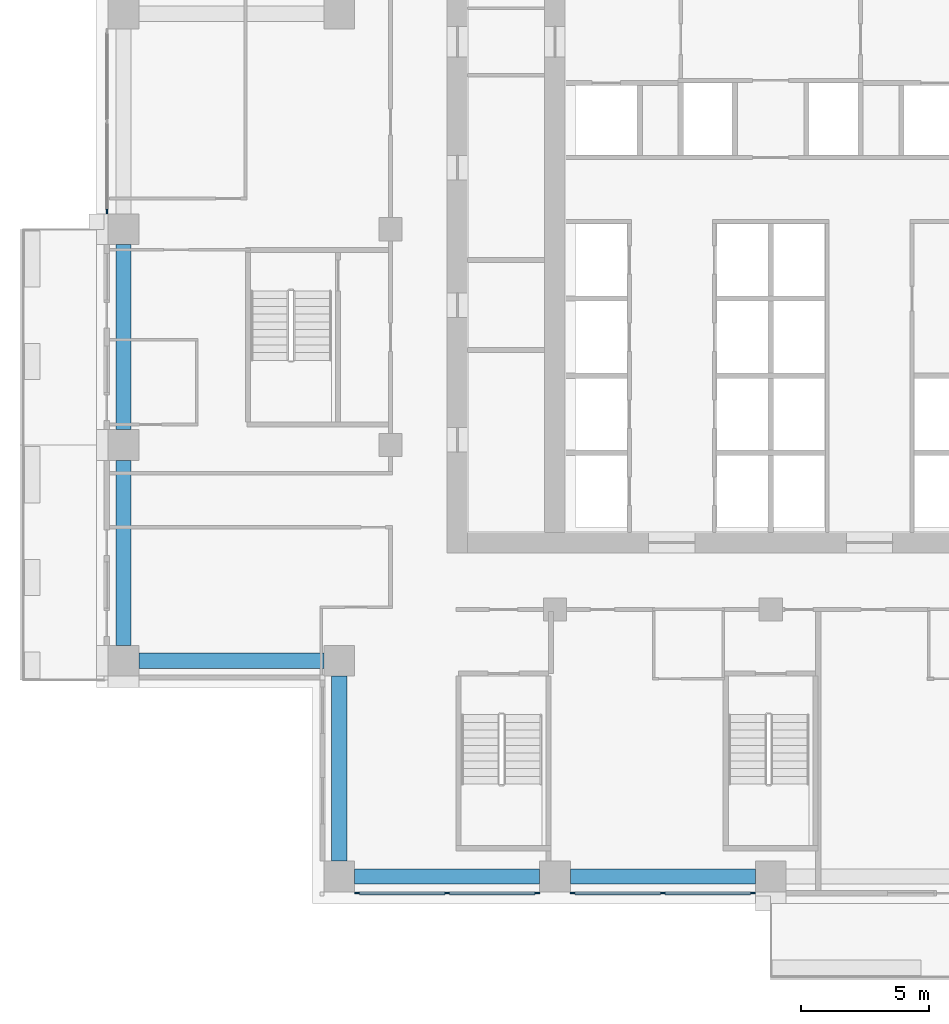
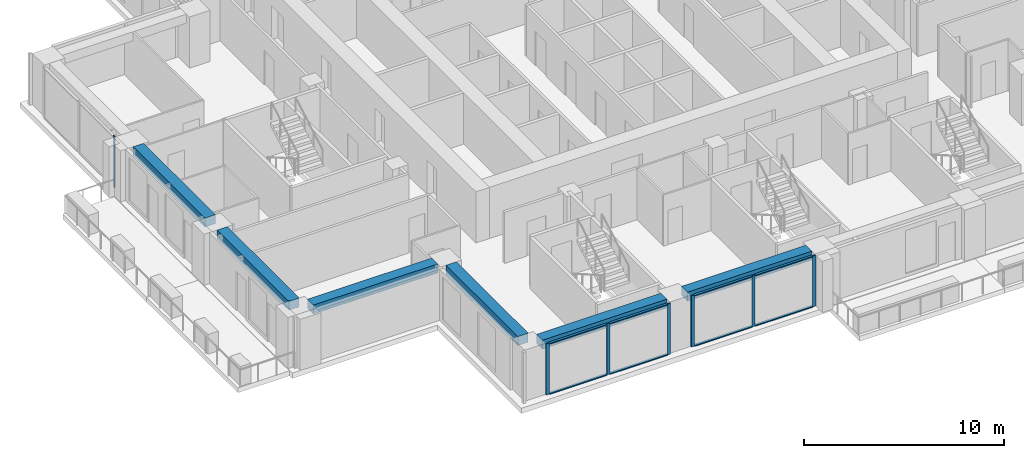
# One storey, part 2 of 18: 15 members, 6 beams, 3 elements without a shape of their own.
"""IFC4 building model written with IfcOpenShell, lengths in metres."""

from ifc_helpers import new_model, si_unit, direction, frame, origin, origin_2d, place, context, subcontext, project, spatial, rectangle, extrude, material, material_profile, profile_set, type_object, element, aggregate, save


model = new_model("IFC4")

# Units and contexts
model_context = context("Model", 3, precision=1e-05, world=origin(), true_north=direction((0.0, 1.0)))
body_context = subcontext(model_context, "Body", "Model", "MODEL_VIEW")
ifc_project = project(units=[si_unit("LENGTHUNIT", "METRE"), si_unit("AREAUNIT", "SQUARE_METRE"), si_unit("VOLUMEUNIT", "CUBIC_METRE"), si_unit("PLANEANGLEUNIT", "RADIAN"), si_unit("MASSUNIT", "GRAM", prefix="KILO")], contexts=[model_context])

# Site, building, storey
site_placement = place(None, origin())
site = spatial("IfcSite", under=ifc_project, at=site_placement, CompositionType="ELEMENT")
building_placement = place(site_placement, origin())
building = spatial("IfcBuilding", under=site, at=building_placement, Name="Vermilion Ogive Tower", CompositionType="ELEMENT")
storey_placement = place(building_placement, frame((0.0, 0.0, 108.0)))
storey = spatial("IfcBuildingStorey", under=building, at=storey_placement, Name="L27", CompositionType="ELEMENT", Elevation=108.0)

# Curtain wall, members
ifc_material_1 = material(Name="Low-iron laminated glazing in aluminium frame", Category="aluminium")
curtain_wall_type = type_object("IfcCurtainWallType", Name="Curtain wall CW7", PredefinedType="NOTDEFINED", material=ifc_material_1)
curtain_wall_1_placement = place(storey_placement, origin())
curtain_wall_1 = element("IfcCurtainWall", 1, at=curtain_wall_1_placement, inside=storey, type_object=curtain_wall_type, Name="Glazed skin S1", PredefinedType="NOTDEFINED")
ifc_material_2 = material(Name="Aluminium mullion", Category="aluminium")
ifc_material_profile_1 = material_profile(ifc_material_2, rectangle(XDim=0.06005859375, YDim=0.179931640625, at=origin_2d()), Name="AL 60x180")
ifc_profile_set_1 = profile_set([ifc_material_profile_1], Name="Aluminium mullion")
member_type_1 = type_object("IfcMemberType", Name="CW7 mullion 60x180", PredefinedType="MULLION", material=ifc_profile_set_1)
member_1_placement = place(storey_placement, frame((-16.110107421875, -21.64990234375, 0.0), z_axis=(0.0, 0.0, 1.0), x_axis=(0.0, 1.0, 0.0)))
member_1 = element("IfcMember", 2, at=member_1_placement, type_object=member_type_1, Name="CW7-S1 mullion 1", PredefinedType="MULLION", context=body_context, shape_type="SweptSolid", body=[
    extrude(rectangle(XDim=0.06005859375, YDim=0.179931640625, at=origin_2d()), origin(), (0.0, 0.0, 1.0), 3.1298828125),
])
member_2_placement = place(storey_placement, frame((-12.60009765625, -21.64990234375, 0.0), z_axis=(0.0, 0.0, 1.0), x_axis=(0.0, 1.0, 0.0)))
member_2 = element("IfcMember", 3, at=member_2_placement, type_object=member_type_1, Name="CW7-S1 mullion 2", PredefinedType="MULLION", context=body_context, shape_type="SweptSolid", body=[
    extrude(rectangle(XDim=0.06005859375, YDim=0.179931640625, at=origin_2d()), origin(), (0.0, 0.0, 1.0), 3.1298828125),
])
member_3_placement = place(storey_placement, frame((-9.090087890625, -21.64990234375, 0.0), z_axis=(0.0, 0.0, 1.0), x_axis=(0.0, 1.0, 0.0)))
member_3 = element("IfcMember", 4, at=member_3_placement, type_object=member_type_1, Name="CW7-S1 mullion 3", PredefinedType="MULLION", context=body_context, shape_type="SweptSolid", body=[
    extrude(rectangle(XDim=0.06005859375, YDim=0.179931640625, at=origin_2d()), origin(), (0.0, 0.0, 1.0), 3.1298828125),
])

curtain_wall_2_placement = place(storey_placement, origin())
curtain_wall_2 = element("IfcCurtainWall", 5, at=curtain_wall_2_placement, inside=storey, type_object=curtain_wall_type, Name="Glazed skin S2", PredefinedType="NOTDEFINED")
member_4_placement = place(storey_placement, frame((-7.7099609375, -21.64990234375, 0.0), z_axis=(0.0, 0.0, 1.0), x_axis=(0.0, 1.0, 0.0)))
member_4 = element("IfcMember", 6, at=member_4_placement, type_object=member_type_1, Name="CW7-S2 mullion 1", PredefinedType="MULLION", context=body_context, shape_type="SweptSolid", body=[
    extrude(rectangle(XDim=0.06005859375, YDim=0.179931640625, at=origin_2d()), origin(), (0.0, 0.0, 1.0), 3.1298828125),
])
member_5_placement = place(storey_placement, frame((-4.199951171875, -21.64990234375, 0.0), z_axis=(0.0, 0.0, 1.0), x_axis=(0.0, 1.0, 0.0)))
member_5 = element("IfcMember", 7, at=member_5_placement, type_object=member_type_1, Name="CW7-S2 mullion 2", PredefinedType="MULLION", context=body_context, shape_type="SweptSolid", body=[
    extrude(rectangle(XDim=0.06005859375, YDim=0.179931640625, at=origin_2d()), origin(), (0.0, 0.0, 1.0), 3.1298828125),
])
member_6_placement = place(storey_placement, frame((-0.68994140625, -21.64990234375, 0.0), z_axis=(0.0, 0.0, 1.0), x_axis=(0.0, 1.0, 0.0)))
member_6 = element("IfcMember", 8, at=member_6_placement, type_object=member_type_1, Name="CW7-S2 mullion 3", PredefinedType="MULLION", context=body_context, shape_type="SweptSolid", body=[
    extrude(rectangle(XDim=0.06005859375, YDim=0.179931640625, at=origin_2d()), origin(), (0.0, 0.0, 1.0), 3.1298828125),
])

# Curtain wall, member
curtain_wall_3_placement = place(storey_placement, origin())
curtain_wall_3 = element("IfcCurtainWall", 9, at=curtain_wall_3_placement, inside=storey, type_object=curtain_wall_type, Name="Glazed skin W1", PredefinedType="NOTDEFINED")
member_7_placement = place(storey_placement, frame((-25.85009765625, 4.889892578125, 0.0), z_axis=(0.0, 0.0, 1.0), x_axis=(1.0, 0.0, 0.0)))
member_7 = element("IfcMember", 10, at=member_7_placement, type_object=member_type_1, Name="CW7-W1 mullion 3", PredefinedType="MULLION", context=body_context, shape_type="SweptSolid", body=[
    extrude(rectangle(XDim=0.06005859375, YDim=0.179931640625, at=origin_2d()), origin(), (0.0, 0.0, 1.0), 3.1298828125),
])
aggregate(curtain_wall_3, [member_7])

# Member
ifc_material_3 = material(Name="Aluminium transom", Category="aluminium")
ifc_material_profile_2 = material_profile(ifc_material_3, rectangle(XDim=0.139892578125, YDim=0.06005859375, at=origin_2d()), Name="AL 60x140")
ifc_profile_set_2 = profile_set([ifc_material_profile_2], Name="Aluminium transom")
member_type_2 = type_object("IfcMemberType", Name="CW7 transom 60x140", PredefinedType="USERDEFINED", material=ifc_profile_set_2)
member_8_placement = place(storey_placement, frame((-16.02001953125, -21.64990234375, 0.030029296875), z_axis=(1.0, 0.0, 0.0), x_axis=(0.0, 1.0, 0.0)))
member_8 = element("IfcMember", 11, at=member_8_placement, type_object=member_type_2, Name="CW7-S1 transom 1.1", ObjectType="TRANSOM", PredefinedType="USERDEFINED", context=body_context, shape_type="SweptSolid", body=[
    extrude(rectangle(XDim=0.139892578125, YDim=0.06005859375, at=origin_2d()), origin(), (0.0, 0.0, 1.0), 3.330078125),
])

member_9_placement = place(storey_placement, frame((-16.02001953125, -21.64990234375, 3.10009765625), z_axis=(1.0, 0.0, 0.0), x_axis=(0.0, 1.0, 0.0)))
member_9 = element("IfcMember", 12, at=member_9_placement, type_object=member_type_2, Name="CW7-S1 transom 1.2", ObjectType="TRANSOM", PredefinedType="USERDEFINED", context=body_context, shape_type="SweptSolid", body=[
    extrude(rectangle(XDim=0.139892578125, YDim=0.06005859375, at=origin_2d()), origin(), (0.0, 0.0, 1.0), 3.330078125),
])

member_10_placement = place(storey_placement, frame((-12.510009765625, -21.64990234375, 0.030029296875), z_axis=(1.0, 0.0, 0.0), x_axis=(0.0, 1.0, 0.0)))
member_10 = element("IfcMember", 13, at=member_10_placement, type_object=member_type_2, Name="CW7-S1 transom 2.1", ObjectType="TRANSOM", PredefinedType="USERDEFINED", context=body_context, shape_type="SweptSolid", body=[
    extrude(rectangle(XDim=0.139892578125, YDim=0.06005859375, at=origin_2d()), origin(), (0.0, 0.0, 1.0), 3.330078125),
])

member_11_placement = place(storey_placement, frame((-12.510009765625, -21.64990234375, 3.10009765625), z_axis=(1.0, 0.0, 0.0), x_axis=(0.0, 1.0, 0.0)))
member_11 = element("IfcMember", 14, at=member_11_placement, type_object=member_type_2, Name="CW7-S1 transom 2.2", ObjectType="TRANSOM", PredefinedType="USERDEFINED", context=body_context, shape_type="SweptSolid", body=[
    extrude(rectangle(XDim=0.139892578125, YDim=0.06005859375, at=origin_2d()), origin(), (0.0, 0.0, 1.0), 3.330078125),
])

aggregate(curtain_wall_1, [member_1, member_2, member_3, member_8, member_9, member_10, member_11])

member_12_placement = place(storey_placement, frame((-7.6201171875, -21.64990234375, 0.030029296875), z_axis=(1.0, 0.0, 0.0), x_axis=(0.0, 1.0, 0.0)))
member_12 = element("IfcMember", 15, at=member_12_placement, type_object=member_type_2, Name="CW7-S2 transom 1.1", ObjectType="TRANSOM", PredefinedType="USERDEFINED", context=body_context, shape_type="SweptSolid", body=[
    extrude(rectangle(XDim=0.139892578125, YDim=0.06005859375, at=origin_2d()), origin(), (0.0, 0.0, 1.0), 3.330078125),
])

member_13_placement = place(storey_placement, frame((-7.6201171875, -21.64990234375, 3.10009765625), z_axis=(1.0, 0.0, 0.0), x_axis=(0.0, 1.0, 0.0)))
member_13 = element("IfcMember", 16, at=member_13_placement, type_object=member_type_2, Name="CW7-S2 transom 1.2", ObjectType="TRANSOM", PredefinedType="USERDEFINED", context=body_context, shape_type="SweptSolid", body=[
    extrude(rectangle(XDim=0.139892578125, YDim=0.06005859375, at=origin_2d()), origin(), (0.0, 0.0, 1.0), 3.330078125),
])

member_14_placement = place(storey_placement, frame((-4.110107421875, -21.64990234375, 0.030029296875), z_axis=(1.0, 0.0, 0.0), x_axis=(0.0, 1.0, 0.0)))
member_14 = element("IfcMember", 17, at=member_14_placement, type_object=member_type_2, Name="CW7-S2 transom 2.1", ObjectType="TRANSOM", PredefinedType="USERDEFINED", context=body_context, shape_type="SweptSolid", body=[
    extrude(rectangle(XDim=0.139892578125, YDim=0.06005859375, at=origin_2d()), origin(), (0.0, 0.0, 1.0), 3.330078125),
])

member_15_placement = place(storey_placement, frame((-4.110107421875, -21.64990234375, 3.10009765625), z_axis=(1.0, 0.0, 0.0), x_axis=(0.0, 1.0, 0.0)))
member_15 = element("IfcMember", 18, at=member_15_placement, type_object=member_type_2, Name="CW7-S2 transom 2.2", ObjectType="TRANSOM", PredefinedType="USERDEFINED", context=body_context, shape_type="SweptSolid", body=[
    extrude(rectangle(XDim=0.139892578125, YDim=0.06005859375, at=origin_2d()), origin(), (0.0, 0.0, 1.0), 3.330078125),
])

aggregate(curtain_wall_2, [member_4, member_5, member_6, member_12, member_13, member_14, member_15])

# Beams
ifc_material_4 = material(Name="Concrete B45", Category="concrete")
ifc_material_profile_3 = material_profile(ifc_material_4, rectangle(XDim=0.60009765625, YDim=0.550048828125, at=origin_2d()), Name="600 x 550")
ifc_profile_set_3 = profile_set([ifc_material_profile_3], Name="Concrete B45")
beam_type = type_object("IfcBeamType", Name="Edge beam 600 x 550 B45", PredefinedType="BEAM", material=ifc_profile_set_3)
for number, where, z_axis, x_axis, name in (
    (19, (-16.199951171875, -21.0, 2.85498046875), (1.0, 0.0, 0.0), (0.0, 1.0, 0.0), "L27-EB-1"),
    (20, (-7.800048828125, -21.0, 2.85498046875), (1.0, 0.0, 0.0), (0.0, 1.0, 0.0), "L27-EB-2"),
):
    element("IfcBeam", number, at=place(storey_placement, frame(where, z_axis=z_axis, x_axis=x_axis)), inside=storey, type_object=beam_type, Name=name, PredefinedType="BEAM", context=body_context, shape_type="SweptSolid", body=[
        extrude(rectangle(XDim=0.60009765625, YDim=0.550048828125, at=origin_2d()), origin(), (0.0, 0.0, 1.0), 7.199951171875),
    ])
beam_1_placement = place(storey_placement, frame((-25.199951171875, 3.60009765625, 2.85498046875), z_axis=(0.0, -1.0, 0.0), x_axis=(1.0, 0.0, 0.0)))
element("IfcBeam", 21, at=beam_1_placement, inside=storey, type_object=beam_type, Name="L27-EB-15", PredefinedType="BEAM", context=body_context, shape_type="SweptSolid", body=[
    extrude(rectangle(XDim=0.60009765625, YDim=0.550048828125, at=origin_2d()), origin(), (0.0, 0.0, 1.0), 7.2001953125),
])
beam_2_placement = place(storey_placement, frame((-25.199951171875, -4.800048828125, 2.85498046875), z_axis=(0.0, -1.0, 0.0), x_axis=(1.0, 0.0, 0.0)))
element("IfcBeam", 22, at=beam_2_placement, inside=storey, type_object=beam_type, Name="L27-EB-16", PredefinedType="BEAM", context=body_context, shape_type="SweptSolid", body=[
    extrude(rectangle(XDim=0.60009765625, YDim=0.550048828125, at=origin_2d()), origin(), (0.0, 0.0, 1.0), 7.199951171875),
])
beam_3_placement = place(storey_placement, frame((-24.60009765625, -12.60009765625, 2.85498046875), z_axis=(1.0, 0.0, 0.0), x_axis=(0.0, 1.0, 0.0)))
element("IfcBeam", 23, at=beam_3_placement, inside=storey, type_object=beam_type, Name="L27-EB-17", PredefinedType="BEAM", context=body_context, shape_type="SweptSolid", body=[
    extrude(rectangle(XDim=0.60009765625, YDim=0.550048828125, at=origin_2d()), origin(), (0.0, 0.0, 1.0), 7.2001953125),
])
beam_4_placement = place(storey_placement, frame((-16.800048828125, -13.199951171875, 2.85498046875), z_axis=(0.0, -1.0, 0.0), x_axis=(1.0, 0.0, 0.0)))
element("IfcBeam", 24, at=beam_4_placement, inside=storey, type_object=beam_type, Name="L27-EB-18", PredefinedType="BEAM", context=body_context, shape_type="SweptSolid", body=[
    extrude(rectangle(XDim=0.60009765625, YDim=0.550048828125, at=origin_2d()), origin(), (0.0, 0.0, 1.0), 7.199951171875),
])

save(model, "model.ifc")
